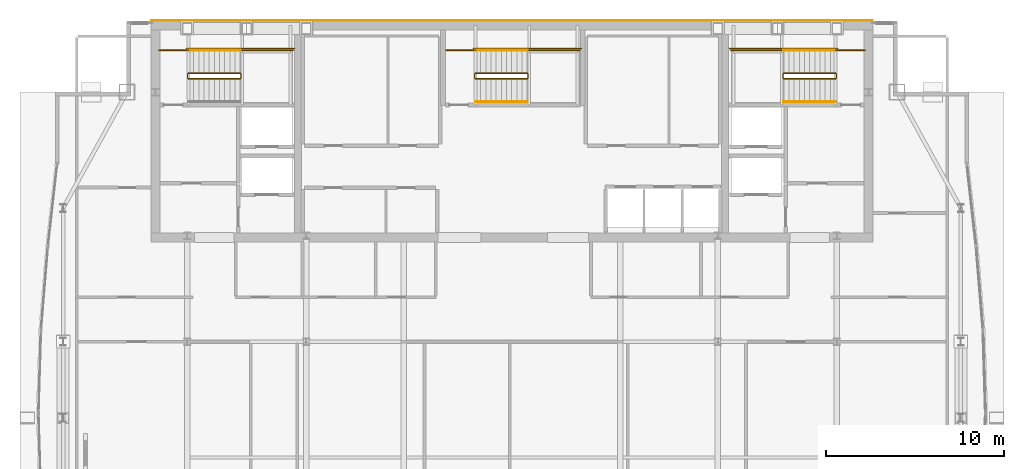
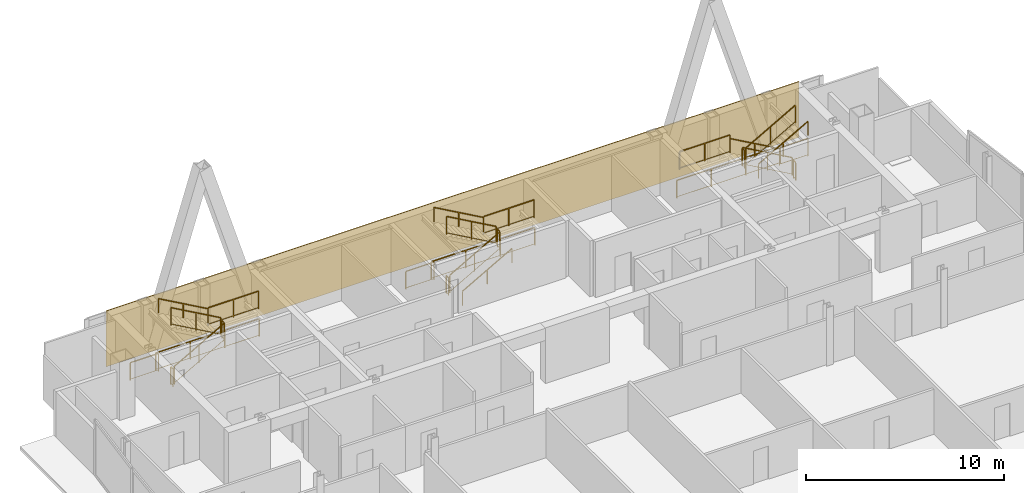
# One storey, part 28 of 28: 26 railings, 1 covering.
"""IFC4 building model written with IfcOpenShell, lengths in metres."""

from ifc_helpers import new_model, si_unit, direction, frame, origin, origin_2d, place, context, subcontext, project, spatial, polyline, rectangle, outline, extrude, material, layer, layer_set, type_object, element, save


model = new_model("IFC4")

# Units and contexts
model_context = context("Model", 3, precision=1e-05, world=origin(), true_north=direction((0.0, 1.0)))
body_context = subcontext(model_context, "Body", "Model", "MODEL_VIEW")
ifc_project = project(units=[si_unit("LENGTHUNIT", "METRE"), si_unit("AREAUNIT", "SQUARE_METRE"), si_unit("VOLUMEUNIT", "CUBIC_METRE"), si_unit("PLANEANGLEUNIT", "RADIAN"), si_unit("MASSUNIT", "GRAM", prefix="KILO")], contexts=[model_context])

# Site, building, storey
site_placement = place(None, origin())
site = spatial("IfcSite", under=ifc_project, at=site_placement, CompositionType="ELEMENT")
building_placement = place(site_placement, origin())
building = spatial("IfcBuilding", under=site, at=building_placement, Name="Khoronbel Lancet Exchange", CompositionType="ELEMENT")
storey_placement = place(building_placement, frame((0.0, 0.0, 291.39990234375)))
storey = spatial("IfcBuildingStorey", under=building, at=storey_placement, Name="L75", CompositionType="ELEMENT", Elevation=291.39990234375)

# Covering
ifc_material_1 = material(Name="Honed Egyptian Limestone & Bronze Rainscreen", Category="masonry")
ifc_layer = layer(ifc_material_1, 0.050048828125, Name="Honed Egyptian Limestone & Bronze Rainscreen")
ifc_layer_set = layer_set([ifc_layer], Name="Honed Egyptian Limestone & Bronze Rainscreen")
covering_type = type_object("IfcCoveringType", Name="COV-CLAD1", PredefinedType="CLADDING", material=ifc_layer_set)
covering_placement = place(storey_placement, origin())
element("IfcCovering", 1, at=covering_placement, inside=storey, type_object=covering_type, Name="Level L75 north rear-core stone and bronze rainscreen cladding", PredefinedType="CLADDING", context=body_context, shape_type="SweptSolid", body=[
    extrude(outline(polyline([(16.199951171875, 53.699951171875), (56.699951171875, 53.699951171875), (56.699951171875, 53.75), (16.199951171875, 53.75), (16.199951171875, 53.699951171875)])), origin(), (0.0, 0.0, 1.0), 3.440185546875),
])

# Railings
ifc_material_2 = material(Name="Painted Steel Balustrade", Category="steel")
railing_type_1 = type_object("IfcRailingType", Name="RL-STG110", PredefinedType="GUARDRAIL", material=ifc_material_2)
railing_1_placement = place(storey_placement, frame((18.300048828125, 50.449951171875, 0.163818359375)))
element("IfcRailing", 2, at=railing_1_placement, inside=storey, type_object=railing_type_1, Name="L75 ST1 stair guard 1", PredefinedType="GUARDRAIL", context=body_context, shape_type="SweptSolid", body=[
    extrude(rectangle(XDim=0.048095703125, YDim=0.048095703125, at=origin_2d()), frame((0.0, 0.0, 1.09619140625), z_axis=(0.870928581787, 0.0, 0.491409610636), x_axis=(0.0, 1.0, 0.0)), (0.0, 0.0, 1.0), 3.32958984375),
    extrude(rectangle(XDim=0.02392578125, YDim=0.02392578125, at=origin_2d()), frame((0.0, 0.0, 0.080078125), z_axis=(0.870928581787, 0.0, 0.491409610636), x_axis=(0.0, 1.0, 0.0)), (0.0, 0.0, 1.0), 3.32958984375),
    extrude(rectangle(XDim=0.0419921875, YDim=0.0419921875, at=origin_2d()), origin(), (0.0, 0.0, 1.0), 1.072021484375),
    extrude(rectangle(XDim=0.0419921875, YDim=0.0419921875, at=origin_2d()), frame((1.449951171875, 0.0, 0.818115234375)), (0.0, 0.0, 1.0), 1.072021484375),
    extrude(rectangle(XDim=0.0419921875, YDim=0.0419921875, at=origin_2d()), frame((2.89990234375, 0.0, 1.63623046875)), (0.0, 0.0, 1.0), 1.072021484375),
])
railing_2_placement = place(storey_placement, frame((21.25, 50.5, 1.800048828125)))
element("IfcRailing", 3, at=railing_2_placement, inside=storey, type_object=railing_type_1, Name="L75 ST1 stair guard 2", PredefinedType="GUARDRAIL", context=body_context, shape_type="SweptSolid", body=[
    extrude(rectangle(XDim=0.048095703125, YDim=0.048095703125, at=origin_2d()), frame((0.0, 0.0, 1.09619140625), z_axis=(0.0, 1.0, 0.0), x_axis=(-1.0, 0.0, 0.0)), (0.0, 0.0, 1.0), 0.219970703125),
    extrude(rectangle(XDim=0.02392578125, YDim=0.02392578125, at=origin_2d()), frame((0.0, 0.0, 0.080078125), z_axis=(0.0, 1.0, 0.0), x_axis=(-1.0, 0.0, 0.0)), (0.0, 0.0, 1.0), 0.219970703125),
    extrude(rectangle(XDim=0.0419921875, YDim=0.0419921875, at=origin_2d()), origin(), (0.0, 0.0, 1.0), 1.072021484375),
    extrude(rectangle(XDim=0.0419921875, YDim=0.0419921875, at=origin_2d()), frame((0.0, 0.219970703125, 0.0)), (0.0, 0.0, 1.0), 1.072021484375),
])
railing_3_placement = place(storey_placement, frame((21.199951171875, 52.050048828125, 1.800048828125)))
element("IfcRailing", 4, at=railing_3_placement, inside=storey, type_object=railing_type_1, Name="L75 ST1 stair guard 3", PredefinedType="GUARDRAIL", context=body_context, shape_type="SweptSolid", body=[
    extrude(rectangle(XDim=0.048095703125, YDim=0.048095703125, at=origin_2d()), frame((0.0, 0.0, 1.09619140625), z_axis=(1.0, 0.0, 0.0), x_axis=(0.0, 1.0, 0.0)), (0.0, 0.0, 1.0), 2.949951171875),
    extrude(rectangle(XDim=0.02392578125, YDim=0.02392578125, at=origin_2d()), frame((0.0, 0.0, 0.080078125), z_axis=(1.0, 0.0, 0.0), x_axis=(0.0, 1.0, 0.0)), (0.0, 0.0, 1.0), 2.949951171875),
    extrude(rectangle(XDim=0.0419921875, YDim=0.0419921875, at=origin_2d()), origin(), (0.0, 0.0, 1.0), 1.072021484375),
    extrude(rectangle(XDim=0.0419921875, YDim=0.0419921875, at=origin_2d()), frame((1.47509765625, 0.0, 0.0)), (0.0, 0.0, 1.0), 1.072021484375),
    extrude(rectangle(XDim=0.0419921875, YDim=0.0419921875, at=origin_2d()), frame((2.949951171875, 0.0, 0.0)), (0.0, 0.0, 1.0), 1.072021484375),
])
railing_4_placement = place(storey_placement, frame((21.199951171875, 50.77001953125, 1.963623046875)))
element("IfcRailing", 5, at=railing_4_placement, inside=storey, type_object=railing_type_1, Name="L75 ST1 stair guard 4", PredefinedType="GUARDRAIL", context=body_context, shape_type="SweptSolid", body=[
    extrude(rectangle(XDim=0.048095703125, YDim=0.048095703125, at=origin_2d()), frame((0.0, 0.0, 1.09619140625), z_axis=(-0.870897200241, 0.0, 0.491465224214), x_axis=(0.0, -1.0, 0.0)), (0.0, 0.0, 1.0), 3.329833984375),
    extrude(rectangle(XDim=0.02392578125, YDim=0.02392578125, at=origin_2d()), frame((0.0, 0.0, 0.080078125), z_axis=(-0.870897200241, 0.0, 0.491465224214), x_axis=(0.0, -1.0, 0.0)), (0.0, 0.0, 1.0), 3.329833984375),
    extrude(rectangle(XDim=0.0419921875, YDim=0.0419921875, at=origin_2d()), origin(), (0.0, 0.0, 1.0), 1.072021484375),
    extrude(rectangle(XDim=0.0419921875, YDim=0.0419921875, at=origin_2d()), frame((-1.449951171875, 0.0, 0.818359375)), (0.0, 0.0, 1.0), 1.072021484375),
    extrude(rectangle(XDim=0.0419921875, YDim=0.0419921875, at=origin_2d()), frame((-2.89990234375, 0.0, 1.636474609375)), (0.0, 0.0, 1.0), 1.072021484375),
])
railing_5_placement = place(storey_placement, frame((18.25, 50.5, 0.0)))
element("IfcRailing", 6, at=railing_5_placement, inside=storey, type_object=railing_type_1, Name="L75 ST1 stair guard 5", PredefinedType="GUARDRAIL", context=body_context, shape_type="SweptSolid", body=[
    extrude(rectangle(XDim=0.048095703125, YDim=0.048095703125, at=origin_2d()), frame((0.0, 0.0, 1.09619140625), z_axis=(0.0, 1.0, 0.0), x_axis=(-1.0, 0.0, 0.0)), (0.0, 0.0, 1.0), 0.219970703125),
    extrude(rectangle(XDim=0.02392578125, YDim=0.02392578125, at=origin_2d()), frame((0.0, 0.0, 0.080078125), z_axis=(0.0, 1.0, 0.0), x_axis=(-1.0, 0.0, 0.0)), (0.0, 0.0, 1.0), 0.219970703125),
    extrude(rectangle(XDim=0.0419921875, YDim=0.0419921875, at=origin_2d()), origin(), (0.0, 0.0, 1.0), 1.072021484375),
    extrude(rectangle(XDim=0.0419921875, YDim=0.0419921875, at=origin_2d()), frame((0.0, 0.219970703125, 0.0)), (0.0, 0.0, 1.0), 1.072021484375),
])
railing_6_placement = place(storey_placement, frame((16.64990234375, 52.050048828125, 0.0)))
element("IfcRailing", 7, at=railing_6_placement, inside=storey, type_object=railing_type_1, Name="L75 ST1 stair guard 6", PredefinedType="GUARDRAIL", context=body_context, shape_type="SweptSolid", body=[
    extrude(rectangle(XDim=0.048095703125, YDim=0.048095703125, at=origin_2d()), frame((0.0, 0.0, 1.09619140625), z_axis=(1.0, 0.0, 0.0), x_axis=(0.0, 1.0, 0.0)), (0.0, 0.0, 1.0), 1.650146484375),
    extrude(rectangle(XDim=0.02392578125, YDim=0.02392578125, at=origin_2d()), frame((0.0, 0.0, 0.080078125), z_axis=(1.0, 0.0, 0.0), x_axis=(0.0, 1.0, 0.0)), (0.0, 0.0, 1.0), 1.650146484375),
    extrude(rectangle(XDim=0.0419921875, YDim=0.0419921875, at=origin_2d()), origin(), (0.0, 0.0, 1.0), 1.072021484375),
    extrude(rectangle(XDim=0.0419921875, YDim=0.0419921875, at=origin_2d()), frame((1.650146484375, 0.0, 0.0)), (0.0, 0.0, 1.0), 1.072021484375),
])
railing_7_placement = place(storey_placement, frame((18.199951171875, 52.14990234375, 0.0)))
element("IfcRailing", 8, at=railing_7_placement, inside=storey, type_object=railing_type_1, Name="L75 ST1 stair guard 7", PredefinedType="GUARDRAIL", context=body_context, shape_type="SweptSolid", body=[
    extrude(rectangle(XDim=0.048095703125, YDim=0.048095703125, at=origin_2d()), frame((0.0, 0.0, 1.09619140625), z_axis=(1.0, 0.0, 0.0), x_axis=(0.0, 1.0, 0.0)), (0.0, 0.0, 1.0), 6.050048828125),
    extrude(rectangle(XDim=0.02392578125, YDim=0.02392578125, at=origin_2d()), frame((0.0, 0.0, 0.080078125), z_axis=(1.0, 0.0, 0.0), x_axis=(0.0, 1.0, 0.0)), (0.0, 0.0, 1.0), 6.050048828125),
    extrude(rectangle(XDim=0.0419921875, YDim=0.0419921875, at=origin_2d()), origin(), (0.0, 0.0, 1.0), 1.072021484375),
    extrude(rectangle(XDim=0.0419921875, YDim=0.0419921875, at=origin_2d()), frame((2.0166015625, 0.0, 0.0)), (0.0, 0.0, 1.0), 1.072021484375),
    extrude(rectangle(XDim=0.0419921875, YDim=0.0419921875, at=origin_2d()), frame((4.033447265625, 0.0, 0.0)), (0.0, 0.0, 1.0), 1.072021484375),
    extrude(rectangle(XDim=0.0419921875, YDim=0.0419921875, at=origin_2d()), frame((6.050048828125, 0.0, 0.0)), (0.0, 0.0, 1.0), 1.072021484375),
])
railing_8_placement = place(storey_placement, frame((54.60009765625, 50.77001953125, 0.163818359375)))
element("IfcRailing", 9, at=railing_8_placement, inside=storey, type_object=railing_type_1, Name="L75 ST2 stair guard 1", PredefinedType="GUARDRAIL", context=body_context, shape_type="SweptSolid", body=[
    extrude(rectangle(XDim=0.048095703125, YDim=0.048095703125, at=origin_2d()), frame((0.0, 0.0, 1.09619140625), z_axis=(-0.870946286338, 0.0, 0.49137823142), x_axis=(0.0, -1.0, 0.0)), (0.0, 0.0, 1.0), 3.329833984375),
    extrude(rectangle(XDim=0.02392578125, YDim=0.02392578125, at=origin_2d()), frame((0.0, 0.0, 0.080078125), z_axis=(-0.870946286338, 0.0, 0.49137823142), x_axis=(0.0, -1.0, 0.0)), (0.0, 0.0, 1.0), 3.329833984375),
    extrude(rectangle(XDim=0.0419921875, YDim=0.0419921875, at=origin_2d()), origin(), (0.0, 0.0, 1.0), 1.072021484375),
    extrude(rectangle(XDim=0.0419921875, YDim=0.0419921875, at=origin_2d()), frame((-1.4501953125, 0.0, 0.818115234375)), (0.0, 0.0, 1.0), 1.072021484375),
    extrude(rectangle(XDim=0.0419921875, YDim=0.0419921875, at=origin_2d()), frame((-2.900146484375, 0.0, 1.63623046875)), (0.0, 0.0, 1.0), 1.072021484375),
])
railing_9_placement = place(storey_placement, frame((51.64990234375, 50.719970703125, 1.800048828125)))
element("IfcRailing", 10, at=railing_9_placement, inside=storey, type_object=railing_type_1, Name="L75 ST2 stair guard 2", PredefinedType="GUARDRAIL", context=body_context, shape_type="SweptSolid", body=[
    extrude(rectangle(XDim=0.048095703125, YDim=0.048095703125, at=origin_2d()), frame((0.0, 0.0, 1.09619140625), z_axis=(0.0, -1.0, 0.0), x_axis=(1.0, 0.0, 0.0)), (0.0, 0.0, 1.0), 0.219970703125),
    extrude(rectangle(XDim=0.02392578125, YDim=0.02392578125, at=origin_2d()), frame((0.0, 0.0, 0.080078125), z_axis=(0.0, -1.0, 0.0), x_axis=(1.0, 0.0, 0.0)), (0.0, 0.0, 1.0), 0.219970703125),
    extrude(rectangle(XDim=0.0419921875, YDim=0.0419921875, at=origin_2d()), origin(), (0.0, 0.0, 1.0), 1.072021484375),
    extrude(rectangle(XDim=0.0419921875, YDim=0.0419921875, at=origin_2d()), frame((0.0, -0.219970703125, 0.0)), (0.0, 0.0, 1.0), 1.072021484375),
])
railing_10_placement = place(storey_placement, frame((51.699951171875, 52.050048828125, 1.800048828125)))
element("IfcRailing", 11, at=railing_10_placement, inside=storey, type_object=railing_type_1, Name="L75 ST2 stair guard 3", PredefinedType="GUARDRAIL", context=body_context, shape_type="SweptSolid", body=[
    extrude(rectangle(XDim=0.048095703125, YDim=0.048095703125, at=origin_2d()), frame((0.0, 0.0, 1.09619140625), z_axis=(-1.0, 0.0, 0.0), x_axis=(0.0, -1.0, 0.0)), (0.0, 0.0, 1.0), 2.949951171875),
    extrude(rectangle(XDim=0.02392578125, YDim=0.02392578125, at=origin_2d()), frame((0.0, 0.0, 0.080078125), z_axis=(-1.0, 0.0, 0.0), x_axis=(0.0, -1.0, 0.0)), (0.0, 0.0, 1.0), 2.949951171875),
    extrude(rectangle(XDim=0.0419921875, YDim=0.0419921875, at=origin_2d()), origin(), (0.0, 0.0, 1.0), 1.072021484375),
    extrude(rectangle(XDim=0.0419921875, YDim=0.0419921875, at=origin_2d()), frame((-1.47509765625, 0.0, 0.0)), (0.0, 0.0, 1.0), 1.072021484375),
    extrude(rectangle(XDim=0.0419921875, YDim=0.0419921875, at=origin_2d()), frame((-2.949951171875, 0.0, 0.0)), (0.0, 0.0, 1.0), 1.072021484375),
])
railing_11_placement = place(storey_placement, frame((51.699951171875, 50.449951171875, 1.963623046875)))
element("IfcRailing", 12, at=railing_11_placement, inside=storey, type_object=railing_type_1, Name="L75 ST2 stair guard 4", PredefinedType="GUARDRAIL", context=body_context, shape_type="SweptSolid", body=[
    extrude(rectangle(XDim=0.048095703125, YDim=0.048095703125, at=origin_2d()), frame((0.0, 0.0, 1.09619140625), z_axis=(0.870914908162, 0.0, 0.491433843708), x_axis=(0.0, 1.0, 0.0)), (0.0, 0.0, 1.0), 3.330078125),
    extrude(rectangle(XDim=0.02392578125, YDim=0.02392578125, at=origin_2d()), frame((0.0, 0.0, 0.080078125), z_axis=(0.870914908162, 0.0, 0.491433843708), x_axis=(0.0, 1.0, 0.0)), (0.0, 0.0, 1.0), 3.330078125),
    extrude(rectangle(XDim=0.0419921875, YDim=0.0419921875, at=origin_2d()), origin(), (0.0, 0.0, 1.0), 1.072021484375),
    extrude(rectangle(XDim=0.0419921875, YDim=0.0419921875, at=origin_2d()), frame((1.4501953125, 0.0, 0.818359375)), (0.0, 0.0, 1.0), 1.072021484375),
    extrude(rectangle(XDim=0.0419921875, YDim=0.0419921875, at=origin_2d()), frame((2.900146484375, 0.0, 1.636474609375)), (0.0, 0.0, 1.0), 1.072021484375),
])
railing_12_placement = place(storey_placement, frame((54.64990234375, 50.719970703125, 0.0)))
element("IfcRailing", 13, at=railing_12_placement, inside=storey, type_object=railing_type_1, Name="L75 ST2 stair guard 5", PredefinedType="GUARDRAIL", context=body_context, shape_type="SweptSolid", body=[
    extrude(rectangle(XDim=0.048095703125, YDim=0.048095703125, at=origin_2d()), frame((0.0, 0.0, 1.09619140625), z_axis=(0.0, -1.0, 0.0), x_axis=(1.0, 0.0, 0.0)), (0.0, 0.0, 1.0), 0.219970703125),
    extrude(rectangle(XDim=0.02392578125, YDim=0.02392578125, at=origin_2d()), frame((0.0, 0.0, 0.080078125), z_axis=(0.0, -1.0, 0.0), x_axis=(1.0, 0.0, 0.0)), (0.0, 0.0, 1.0), 0.219970703125),
    extrude(rectangle(XDim=0.0419921875, YDim=0.0419921875, at=origin_2d()), origin(), (0.0, 0.0, 1.0), 1.072021484375),
    extrude(rectangle(XDim=0.0419921875, YDim=0.0419921875, at=origin_2d()), frame((0.0, -0.219970703125, 0.0)), (0.0, 0.0, 1.0), 1.072021484375),
])
railing_13_placement = place(storey_placement, frame((56.25, 52.050048828125, 0.0)))
element("IfcRailing", 14, at=railing_13_placement, inside=storey, type_object=railing_type_1, Name="L75 ST2 stair guard 6", PredefinedType="GUARDRAIL", context=body_context, shape_type="SweptSolid", body=[
    extrude(rectangle(XDim=0.048095703125, YDim=0.048095703125, at=origin_2d()), frame((0.0, 0.0, 1.09619140625), z_axis=(-1.0, 0.0, 0.0), x_axis=(0.0, -1.0, 0.0)), (0.0, 0.0, 1.0), 1.64990234375),
    extrude(rectangle(XDim=0.02392578125, YDim=0.02392578125, at=origin_2d()), frame((0.0, 0.0, 0.080078125), z_axis=(-1.0, 0.0, 0.0), x_axis=(0.0, -1.0, 0.0)), (0.0, 0.0, 1.0), 1.64990234375),
    extrude(rectangle(XDim=0.0419921875, YDim=0.0419921875, at=origin_2d()), origin(), (0.0, 0.0, 1.0), 1.072021484375),
    extrude(rectangle(XDim=0.0419921875, YDim=0.0419921875, at=origin_2d()), frame((-1.64990234375, 0.0, 0.0)), (0.0, 0.0, 1.0), 1.072021484375),
])
railing_14_placement = place(storey_placement, frame((54.699951171875, 52.14990234375, 0.0)))
element("IfcRailing", 15, at=railing_14_placement, inside=storey, type_object=railing_type_1, Name="L75 ST2 stair guard 7", PredefinedType="GUARDRAIL", context=body_context, shape_type="SweptSolid", body=[
    extrude(rectangle(XDim=0.048095703125, YDim=0.048095703125, at=origin_2d()), frame((0.0, 0.0, 1.09619140625), z_axis=(-1.0, 0.0, 0.0), x_axis=(0.0, -1.0, 0.0)), (0.0, 0.0, 1.0), 6.050048828125),
    extrude(rectangle(XDim=0.02392578125, YDim=0.02392578125, at=origin_2d()), frame((0.0, 0.0, 0.080078125), z_axis=(-1.0, 0.0, 0.0), x_axis=(0.0, -1.0, 0.0)), (0.0, 0.0, 1.0), 6.050048828125),
    extrude(rectangle(XDim=0.0419921875, YDim=0.0419921875, at=origin_2d()), origin(), (0.0, 0.0, 1.0), 1.072021484375),
    extrude(rectangle(XDim=0.0419921875, YDim=0.0419921875, at=origin_2d()), frame((-2.0166015625, 0.0, 0.0)), (0.0, 0.0, 1.0), 1.072021484375),
    extrude(rectangle(XDim=0.0419921875, YDim=0.0419921875, at=origin_2d()), frame((-4.033447265625, 0.0, 0.0)), (0.0, 0.0, 1.0), 1.072021484375),
    extrude(rectangle(XDim=0.0419921875, YDim=0.0419921875, at=origin_2d()), frame((-6.050048828125, 0.0, 0.0)), (0.0, 0.0, 1.0), 1.072021484375),
])
railing_15_placement = place(storey_placement, frame((34.39990234375, 50.449951171875, 0.163818359375)))
element("IfcRailing", 16, at=railing_15_placement, inside=storey, type_object=railing_type_1, Name="L75 ST3 stair guard 1", PredefinedType="GUARDRAIL", context=body_context, shape_type="SweptSolid", body=[
    extrude(rectangle(XDim=0.048095703125, YDim=0.048095703125, at=origin_2d()), frame((0.0, 0.0, 1.09619140625), z_axis=(0.870946286338, 0.0, 0.49137823142), x_axis=(0.0, 1.0, 0.0)), (0.0, 0.0, 1.0), 3.329833984375),
    extrude(rectangle(XDim=0.02392578125, YDim=0.02392578125, at=origin_2d()), frame((0.0, 0.0, 0.080078125), z_axis=(0.870946286338, 0.0, 0.49137823142), x_axis=(0.0, 1.0, 0.0)), (0.0, 0.0, 1.0), 3.329833984375),
    extrude(rectangle(XDim=0.0419921875, YDim=0.0419921875, at=origin_2d()), origin(), (0.0, 0.0, 1.0), 1.072021484375),
    extrude(rectangle(XDim=0.0419921875, YDim=0.0419921875, at=origin_2d()), frame((1.4501953125, 0.0, 0.818115234375)), (0.0, 0.0, 1.0), 1.072021484375),
    extrude(rectangle(XDim=0.0419921875, YDim=0.0419921875, at=origin_2d()), frame((2.900146484375, 0.0, 1.63623046875)), (0.0, 0.0, 1.0), 1.072021484375),
])
railing_16_placement = place(storey_placement, frame((37.35009765625, 50.5, 1.800048828125)))
element("IfcRailing", 17, at=railing_16_placement, inside=storey, type_object=railing_type_1, Name="L75 ST3 stair guard 2", PredefinedType="GUARDRAIL", context=body_context, shape_type="SweptSolid", body=[
    extrude(rectangle(XDim=0.048095703125, YDim=0.048095703125, at=origin_2d()), frame((0.0, 0.0, 1.09619140625), z_axis=(0.0, 1.0, 0.0), x_axis=(-1.0, 0.0, 0.0)), (0.0, 0.0, 1.0), 0.219970703125),
    extrude(rectangle(XDim=0.02392578125, YDim=0.02392578125, at=origin_2d()), frame((0.0, 0.0, 0.080078125), z_axis=(0.0, 1.0, 0.0), x_axis=(-1.0, 0.0, 0.0)), (0.0, 0.0, 1.0), 0.219970703125),
    extrude(rectangle(XDim=0.0419921875, YDim=0.0419921875, at=origin_2d()), origin(), (0.0, 0.0, 1.0), 1.072021484375),
    extrude(rectangle(XDim=0.0419921875, YDim=0.0419921875, at=origin_2d()), frame((0.0, 0.219970703125, 0.0)), (0.0, 0.0, 1.0), 1.072021484375),
])
railing_17_placement = place(storey_placement, frame((37.300048828125, 52.050048828125, 1.800048828125)))
element("IfcRailing", 18, at=railing_17_placement, inside=storey, type_object=railing_type_1, Name="L75 ST3 stair guard 3", PredefinedType="GUARDRAIL", context=body_context, shape_type="SweptSolid", body=[
    extrude(rectangle(XDim=0.048095703125, YDim=0.048095703125, at=origin_2d()), frame((0.0, 0.0, 1.09619140625), z_axis=(1.0, 0.0, 0.0), x_axis=(0.0, 1.0, 0.0)), (0.0, 0.0, 1.0), 2.949951171875),
    extrude(rectangle(XDim=0.02392578125, YDim=0.02392578125, at=origin_2d()), frame((0.0, 0.0, 0.080078125), z_axis=(1.0, 0.0, 0.0), x_axis=(0.0, 1.0, 0.0)), (0.0, 0.0, 1.0), 2.949951171875),
    extrude(rectangle(XDim=0.0419921875, YDim=0.0419921875, at=origin_2d()), origin(), (0.0, 0.0, 1.0), 1.072021484375),
    extrude(rectangle(XDim=0.0419921875, YDim=0.0419921875, at=origin_2d()), frame((1.47509765625, 0.0, 0.0)), (0.0, 0.0, 1.0), 1.072021484375),
    extrude(rectangle(XDim=0.0419921875, YDim=0.0419921875, at=origin_2d()), frame((2.949951171875, 0.0, 0.0)), (0.0, 0.0, 1.0), 1.072021484375),
])
railing_18_placement = place(storey_placement, frame((37.300048828125, 50.77001953125, 1.963623046875)))
element("IfcRailing", 19, at=railing_18_placement, inside=storey, type_object=railing_type_1, Name="L75 ST3 stair guard 4", PredefinedType="GUARDRAIL", context=body_context, shape_type="SweptSolid", body=[
    extrude(rectangle(XDim=0.048095703125, YDim=0.048095703125, at=origin_2d()), frame((0.0, 0.0, 1.09619140625), z_axis=(-0.870914908162, 0.0, 0.491433843708), x_axis=(0.0, -1.0, 0.0)), (0.0, 0.0, 1.0), 3.330078125),
    extrude(rectangle(XDim=0.02392578125, YDim=0.02392578125, at=origin_2d()), frame((0.0, 0.0, 0.080078125), z_axis=(-0.870914908162, 0.0, 0.491433843708), x_axis=(0.0, -1.0, 0.0)), (0.0, 0.0, 1.0), 3.330078125),
    extrude(rectangle(XDim=0.0419921875, YDim=0.0419921875, at=origin_2d()), origin(), (0.0, 0.0, 1.0), 1.072021484375),
    extrude(rectangle(XDim=0.0419921875, YDim=0.0419921875, at=origin_2d()), frame((-1.4501953125, 0.0, 0.818359375)), (0.0, 0.0, 1.0), 1.072021484375),
    extrude(rectangle(XDim=0.0419921875, YDim=0.0419921875, at=origin_2d()), frame((-2.900146484375, 0.0, 1.636474609375)), (0.0, 0.0, 1.0), 1.072021484375),
])
railing_19_placement = place(storey_placement, frame((34.35009765625, 50.5, 0.0)))
element("IfcRailing", 20, at=railing_19_placement, inside=storey, type_object=railing_type_1, Name="L75 ST3 stair guard 5", PredefinedType="GUARDRAIL", context=body_context, shape_type="SweptSolid", body=[
    extrude(rectangle(XDim=0.048095703125, YDim=0.048095703125, at=origin_2d()), frame((0.0, 0.0, 1.09619140625), z_axis=(0.0, 1.0, 0.0), x_axis=(-1.0, 0.0, 0.0)), (0.0, 0.0, 1.0), 0.219970703125),
    extrude(rectangle(XDim=0.02392578125, YDim=0.02392578125, at=origin_2d()), frame((0.0, 0.0, 0.080078125), z_axis=(0.0, 1.0, 0.0), x_axis=(-1.0, 0.0, 0.0)), (0.0, 0.0, 1.0), 0.219970703125),
    extrude(rectangle(XDim=0.0419921875, YDim=0.0419921875, at=origin_2d()), origin(), (0.0, 0.0, 1.0), 1.072021484375),
    extrude(rectangle(XDim=0.0419921875, YDim=0.0419921875, at=origin_2d()), frame((0.0, 0.219970703125, 0.0)), (0.0, 0.0, 1.0), 1.072021484375),
])
railing_20_placement = place(storey_placement, frame((32.75, 52.050048828125, 0.0)))
element("IfcRailing", 21, at=railing_20_placement, inside=storey, type_object=railing_type_1, Name="L75 ST3 stair guard 6", PredefinedType="GUARDRAIL", context=body_context, shape_type="SweptSolid", body=[
    extrude(rectangle(XDim=0.048095703125, YDim=0.048095703125, at=origin_2d()), frame((0.0, 0.0, 1.09619140625), z_axis=(1.0, 0.0, 0.0), x_axis=(0.0, 1.0, 0.0)), (0.0, 0.0, 1.0), 1.64990234375),
    extrude(rectangle(XDim=0.02392578125, YDim=0.02392578125, at=origin_2d()), frame((0.0, 0.0, 0.080078125), z_axis=(1.0, 0.0, 0.0), x_axis=(0.0, 1.0, 0.0)), (0.0, 0.0, 1.0), 1.64990234375),
    extrude(rectangle(XDim=0.0419921875, YDim=0.0419921875, at=origin_2d()), origin(), (0.0, 0.0, 1.0), 1.072021484375),
    extrude(rectangle(XDim=0.0419921875, YDim=0.0419921875, at=origin_2d()), frame((1.64990234375, 0.0, 0.0)), (0.0, 0.0, 1.0), 1.072021484375),
])
railing_21_placement = place(storey_placement, frame((34.300048828125, 52.14990234375, 0.0)))
element("IfcRailing", 22, at=railing_21_placement, inside=storey, type_object=railing_type_1, Name="L75 ST3 stair guard 7", PredefinedType="GUARDRAIL", context=body_context, shape_type="SweptSolid", body=[
    extrude(rectangle(XDim=0.048095703125, YDim=0.048095703125, at=origin_2d()), frame((0.0, 0.0, 1.09619140625), z_axis=(1.0, 0.0, 0.0), x_axis=(0.0, 1.0, 0.0)), (0.0, 0.0, 1.0), 6.050048828125),
    extrude(rectangle(XDim=0.02392578125, YDim=0.02392578125, at=origin_2d()), frame((0.0, 0.0, 0.080078125), z_axis=(1.0, 0.0, 0.0), x_axis=(0.0, 1.0, 0.0)), (0.0, 0.0, 1.0), 6.050048828125),
    extrude(rectangle(XDim=0.0419921875, YDim=0.0419921875, at=origin_2d()), origin(), (0.0, 0.0, 1.0), 1.072021484375),
    extrude(rectangle(XDim=0.0419921875, YDim=0.0419921875, at=origin_2d()), frame((2.0166015625, 0.0, 0.0)), (0.0, 0.0, 1.0), 1.072021484375),
    extrude(rectangle(XDim=0.0419921875, YDim=0.0419921875, at=origin_2d()), frame((4.033447265625, 0.0, 0.0)), (0.0, 0.0, 1.0), 1.072021484375),
    extrude(rectangle(XDim=0.0419921875, YDim=0.0419921875, at=origin_2d()), frame((6.050048828125, 0.0, 0.0)), (0.0, 0.0, 1.0), 1.072021484375),
])
ifc_material_3 = material(Name="Brushed Stainless Steel 316", Category="steel")
railing_type_2 = type_object("IfcRailingType", Name="RL-STH92", PredefinedType="HANDRAIL", material=ifc_material_3)
railing_22_placement = place(storey_placement, frame((21.199951171875, 52.050048828125, 1.963623046875)))
element("IfcRailing", 23, at=railing_22_placement, inside=storey, type_object=railing_type_2, Name="L75 ST1 stair handrail 2", PredefinedType="HANDRAIL", context=body_context, shape_type="SweptSolid", body=[
    extrude(rectangle(XDim=0.048095703125, YDim=0.048095703125, at=origin_2d()), frame((0.0, 0.0, 0.8759765625), z_axis=(-0.870897200241, 0.0, 0.491465224214), x_axis=(0.0, -1.0, 0.0)), (0.0, 0.0, 1.0), 3.329833984375),
    extrude(rectangle(XDim=0.0419921875, YDim=0.0419921875, at=origin_2d()), origin(), (0.0, 0.0, 1.0), 0.851806640625),
    extrude(rectangle(XDim=0.0419921875, YDim=0.0419921875, at=origin_2d()), frame((-1.449951171875, 0.0, 0.818359375)), (0.0, 0.0, 1.0), 0.851806640625),
    extrude(rectangle(XDim=0.0419921875, YDim=0.0419921875, at=origin_2d()), frame((-2.89990234375, 0.0, 1.636474609375)), (0.0, 0.0, 1.0), 0.851806640625),
])
railing_23_placement = place(storey_placement, frame((54.60009765625, 52.050048828125, 0.163818359375)))
element("IfcRailing", 24, at=railing_23_placement, inside=storey, type_object=railing_type_2, Name="L75 ST2 stair handrail 1", PredefinedType="HANDRAIL", context=body_context, shape_type="SweptSolid", body=[
    extrude(rectangle(XDim=0.048095703125, YDim=0.048095703125, at=origin_2d()), frame((0.0, 0.0, 0.8759765625), z_axis=(-0.870946286338, 0.0, 0.49137823142), x_axis=(0.0, -1.0, 0.0)), (0.0, 0.0, 1.0), 3.329833984375),
    extrude(rectangle(XDim=0.0419921875, YDim=0.0419921875, at=origin_2d()), origin(), (0.0, 0.0, 1.0), 0.851806640625),
    extrude(rectangle(XDim=0.0419921875, YDim=0.0419921875, at=origin_2d()), frame((-1.4501953125, 0.0, 0.818115234375)), (0.0, 0.0, 1.0), 0.851806640625),
    extrude(rectangle(XDim=0.0419921875, YDim=0.0419921875, at=origin_2d()), frame((-2.900146484375, 0.0, 1.63623046875)), (0.0, 0.0, 1.0), 0.851806640625),
])
railing_24_placement = place(storey_placement, frame((51.699951171875, 49.169921875, 1.963623046875)))
element("IfcRailing", 25, at=railing_24_placement, inside=storey, type_object=railing_type_2, Name="L75 ST2 stair handrail 2", PredefinedType="HANDRAIL", context=body_context, shape_type="SweptSolid", body=[
    extrude(rectangle(XDim=0.048095703125, YDim=0.048095703125, at=origin_2d()), frame((0.0, 0.0, 0.8759765625), z_axis=(0.870914908162, 0.0, 0.491433843708), x_axis=(0.0, 1.0, 0.0)), (0.0, 0.0, 1.0), 3.330078125),
    extrude(rectangle(XDim=0.0419921875, YDim=0.0419921875, at=origin_2d()), origin(), (0.0, 0.0, 1.0), 0.851806640625),
    extrude(rectangle(XDim=0.0419921875, YDim=0.0419921875, at=origin_2d()), frame((1.4501953125, 0.0, 0.818359375)), (0.0, 0.0, 1.0), 0.851806640625),
    extrude(rectangle(XDim=0.0419921875, YDim=0.0419921875, at=origin_2d()), frame((2.900146484375, 0.0, 1.636474609375)), (0.0, 0.0, 1.0), 0.851806640625),
])
railing_25_placement = place(storey_placement, frame((34.39990234375, 49.169921875, 0.163818359375)))
element("IfcRailing", 26, at=railing_25_placement, inside=storey, type_object=railing_type_2, Name="L75 ST3 stair handrail 1", PredefinedType="HANDRAIL", context=body_context, shape_type="SweptSolid", body=[
    extrude(rectangle(XDim=0.048095703125, YDim=0.048095703125, at=origin_2d()), frame((0.0, 0.0, 0.8759765625), z_axis=(0.870946286338, 0.0, 0.49137823142), x_axis=(0.0, 1.0, 0.0)), (0.0, 0.0, 1.0), 3.329833984375),
    extrude(rectangle(XDim=0.0419921875, YDim=0.0419921875, at=origin_2d()), origin(), (0.0, 0.0, 1.0), 0.851806640625),
    extrude(rectangle(XDim=0.0419921875, YDim=0.0419921875, at=origin_2d()), frame((1.4501953125, 0.0, 0.818115234375)), (0.0, 0.0, 1.0), 0.851806640625),
    extrude(rectangle(XDim=0.0419921875, YDim=0.0419921875, at=origin_2d()), frame((2.900146484375, 0.0, 1.63623046875)), (0.0, 0.0, 1.0), 0.851806640625),
])
railing_26_placement = place(storey_placement, frame((37.300048828125, 52.050048828125, 1.963623046875)))
element("IfcRailing", 27, at=railing_26_placement, inside=storey, type_object=railing_type_2, Name="L75 ST3 stair handrail 2", PredefinedType="HANDRAIL", context=body_context, shape_type="SweptSolid", body=[
    extrude(rectangle(XDim=0.048095703125, YDim=0.048095703125, at=origin_2d()), frame((0.0, 0.0, 0.8759765625), z_axis=(-0.870914908162, 0.0, 0.491433843708), x_axis=(0.0, -1.0, 0.0)), (0.0, 0.0, 1.0), 3.330078125),
    extrude(rectangle(XDim=0.0419921875, YDim=0.0419921875, at=origin_2d()), origin(), (0.0, 0.0, 1.0), 0.851806640625),
    extrude(rectangle(XDim=0.0419921875, YDim=0.0419921875, at=origin_2d()), frame((-1.4501953125, 0.0, 0.818359375)), (0.0, 0.0, 1.0), 0.851806640625),
    extrude(rectangle(XDim=0.0419921875, YDim=0.0419921875, at=origin_2d()), frame((-2.900146484375, 0.0, 1.636474609375)), (0.0, 0.0, 1.0), 0.851806640625),
])

save(model, "model.ifc")
